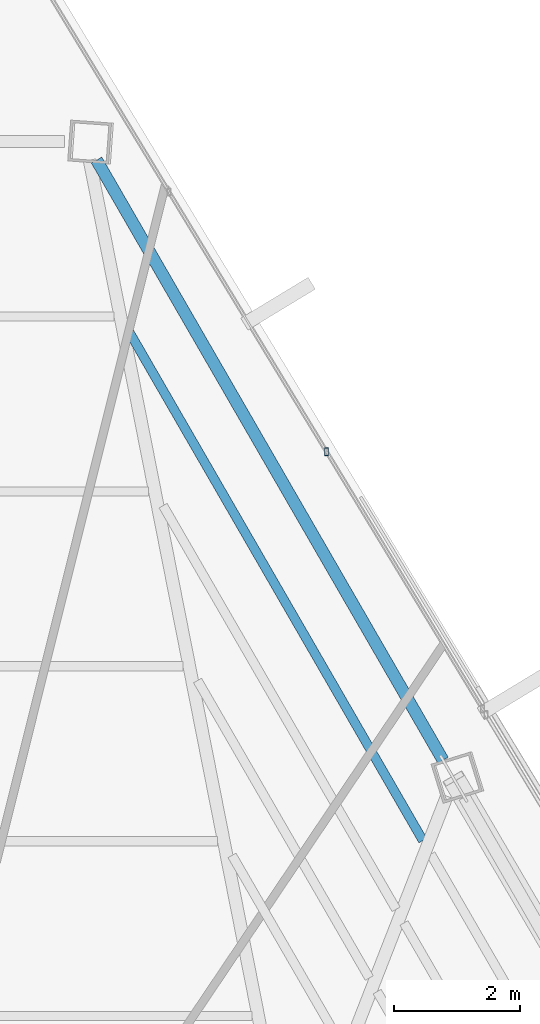
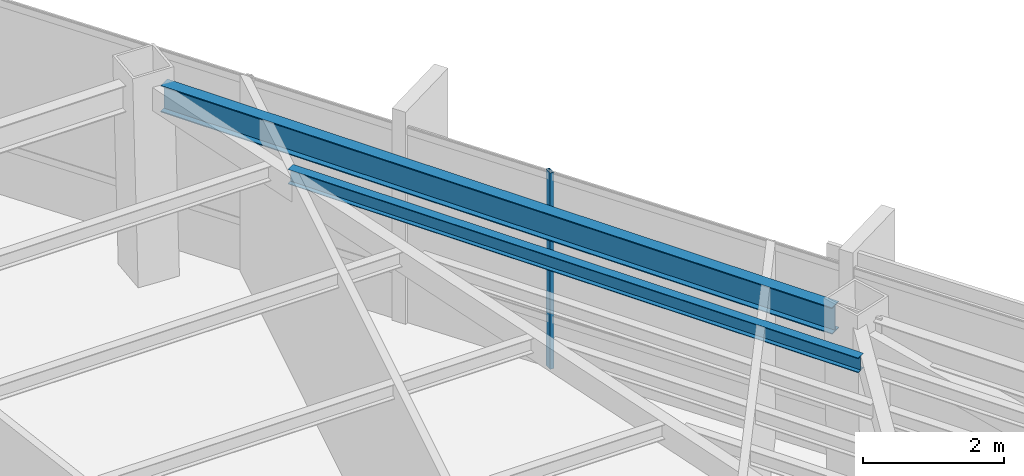
# One storey, part 36 of 46: 2 beams, 1 member, 1 element without a shape of its own.
"""IFC4 building model written with IfcOpenShell, lengths in metres."""

from ifc_helpers import new_model, si_unit, direction, frame, origin, origin_2d, place, context, subcontext, project, spatial, hollow_rectangle, i_section, extrude, source, transform, mapped, material, material_profile, profile_set, type_object, type_shapes, element, aggregate, save


model = new_model("IFC4")

# Units and contexts
model_context = context("Model", 3, precision=1e-05, world=origin(), true_north=direction((0.0, 1.0)))
body_context = subcontext(model_context, "Body", "Model", "MODEL_VIEW")
ifc_project = project(units=[si_unit("LENGTHUNIT", "METRE"), si_unit("AREAUNIT", "SQUARE_METRE"), si_unit("VOLUMEUNIT", "CUBIC_METRE"), si_unit("PLANEANGLEUNIT", "RADIAN"), si_unit("MASSUNIT", "GRAM", prefix="KILO")], contexts=[model_context])

# Site, building, storey
site_placement = place(None, origin())
site = spatial("IfcSite", under=ifc_project, at=site_placement, CompositionType="ELEMENT")
building_placement = place(site_placement, origin())
building = spatial("IfcBuilding", under=site, at=building_placement, Name="Caelisora Broadcast Tower", CompositionType="ELEMENT")
storey_placement = place(building_placement, frame((0.0, 0.0, 237.14990234375)))
storey = spatial("IfcBuildingStorey", under=building, at=storey_placement, Name="L62", CompositionType="ELEMENT", Elevation=237.14990234375)

# Beams
ifc_material_1 = material(Name="Steel Grade 350 (AS/NZS 3679.1)", Category="steel")
ifc_material_profile_1 = material_profile(ifc_material_1, i_section(OverallWidth=0.19091796875, OverallDepth=0.46044921875, WebThickness=0.010009765625, FlangeThickness=0.01611328125, at=origin_2d()), Name="Steel Grade 350 (AS/NZS 3679.1)")
ifc_profile_set_1 = profile_set([ifc_material_profile_1], Name="Steel Grade 350 (AS/NZS 3679.1)")
beam_type_1 = type_object("IfcBeamType", Name="PG06", PredefinedType="BEAM", material=ifc_profile_set_1)
shared_shape_1 = source(origin(), body_context, "Body", "SweptSolid", [
    extrude(i_section(OverallWidth=0.19091796875, OverallDepth=0.46044921875, WebThickness=0.010009765625, FlangeThickness=0.01611328125, at=origin_2d()), origin(), (0.0, 0.0, 1.0), 10.993408203125),
])
type_shapes(beam_type_1, [shared_shape_1])
beam_1_placement = place(storey_placement, frame((47.88427734375, 36.833984375, 3.169921875), z_axis=(-0.499994152074, 0.86602878006, 0.0), x_axis=(-0.86602878006, -0.499994152074, 0.0)))
element("IfcBeam", 1, at=beam_1_placement, inside=storey, type_object=beam_type_1, Name="L62 beam PG06", PredefinedType="BEAM", context=body_context, shape_type="MappedRepresentation", body=[
    mapped(shared_shape_1, transform((0.0, 0.0, 0.0), scale=1.0)),
])
ifc_material_profile_2 = material_profile(ifc_material_1, i_section(OverallWidth=0.14599609375, OverallDepth=0.256103515625, WebThickness=0.00634765625, FlangeThickness=0.010986328125, at=origin_2d()), Name="Steel Grade 350 (AS/NZS 3679.1)")
ifc_profile_set_2 = profile_set([ifc_material_profile_2], Name="Steel Grade 350 (AS/NZS 3679.1)")
beam_type_2 = type_object("IfcBeamType", Name="SB04", PredefinedType="JOIST", material=ifc_profile_set_2)
shared_shape_2 = source(origin(), body_context, "Body", "SweptSolid", [
    extrude(i_section(OverallWidth=0.14599609375, OverallDepth=0.256103515625, WebThickness=0.00634765625, FlangeThickness=0.010986328125, at=origin_2d()), origin(), (0.0, 0.0, 1.0), 9.3388671875),
])
type_shapes(beam_type_2, [shared_shape_2])
beam_2_placement = place(storey_placement, frame((47.565185546875, 35.5595703125, 3.27197265625), z_axis=(-0.500021912873, 0.866012752012, 0.0), x_axis=(-0.866012752012, -0.500021912873, 0.0)))
element("IfcBeam", 2, at=beam_2_placement, inside=storey, type_object=beam_type_2, Name="L62 beam SB04", PredefinedType="JOIST", context=body_context, shape_type="MappedRepresentation", body=[
    mapped(shared_shape_2, transform((0.0, 0.0, 0.0), scale=1.0)),
])

# Curtain wall, member
ifc_material_2 = material(Name="Unitised Aluminium and Low-E Glass Curtain Wall", Category="glass")
curtain_wall_type = type_object("IfcCurtainWallType", Name="CW-Z5", PredefinedType="NOTDEFINED", material=ifc_material_2)
curtain_wall_placement = place(storey_placement, origin())
curtain_wall = element("IfcCurtainWall", 3, at=curtain_wall_placement, inside=storey, type_object=curtain_wall_type, Name="L62 curtain wall CW-Z5", PredefinedType="NOTDEFINED")
ifc_material_3 = material(Name="Aluminium 6063-T6 Anodised Terracotta Bronze", Category="aluminium")
ifc_material_profile_3 = material_profile(ifc_material_3, hollow_rectangle(XDim=0.06005859375, YDim=0.1201171875, WallThickness=0.0029296875, at=origin_2d()), Name="Aluminium 6063-T6 Anodised Terracotta Bronze")
ifc_profile_set_3 = profile_set([ifc_material_profile_3], Name="Aluminium 6063-T6 Anodised Terracotta Bronze")
member_type = type_object("IfcMemberType", Name="CWM-04", PredefinedType="MULLION", material=ifc_profile_set_3)
shared_shape_3 = source(origin(), body_context, "Body", "SweptSolid", [
    extrude(hollow_rectangle(XDim=0.06005859375, YDim=0.1201171875, WallThickness=0.0029296875, at=origin_2d()), origin(), (0.0, 0.0, 1.0), 3.400146484375),
])
type_shapes(member_type, [shared_shape_3])
member_placement = place(storey_placement, frame((46.036376953125, 41.728759765625, 0.0), z_axis=(0.0, 0.0, 1.0), x_axis=(1.0, 0.0, 0.0)))
member = element("IfcMember", 4, at=member_placement, type_object=member_type, Name="L62-CW-B01 mullion #2", PredefinedType="MULLION", context=body_context, shape_type="MappedRepresentation", body=[
    mapped(shared_shape_3, transform((0.0, 0.0, 0.0), scale=1.0)),
])
aggregate(curtain_wall, [member])

save(model, "model.ifc")
